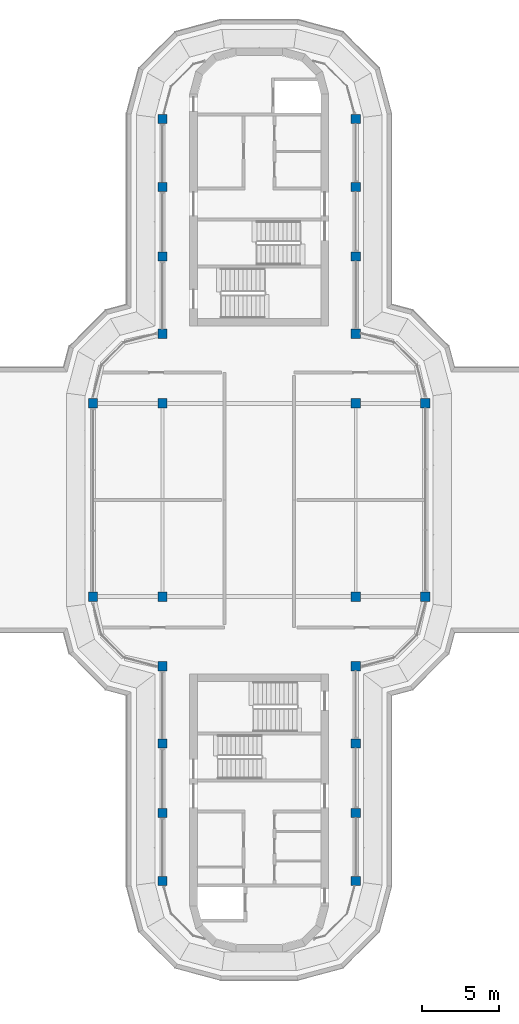
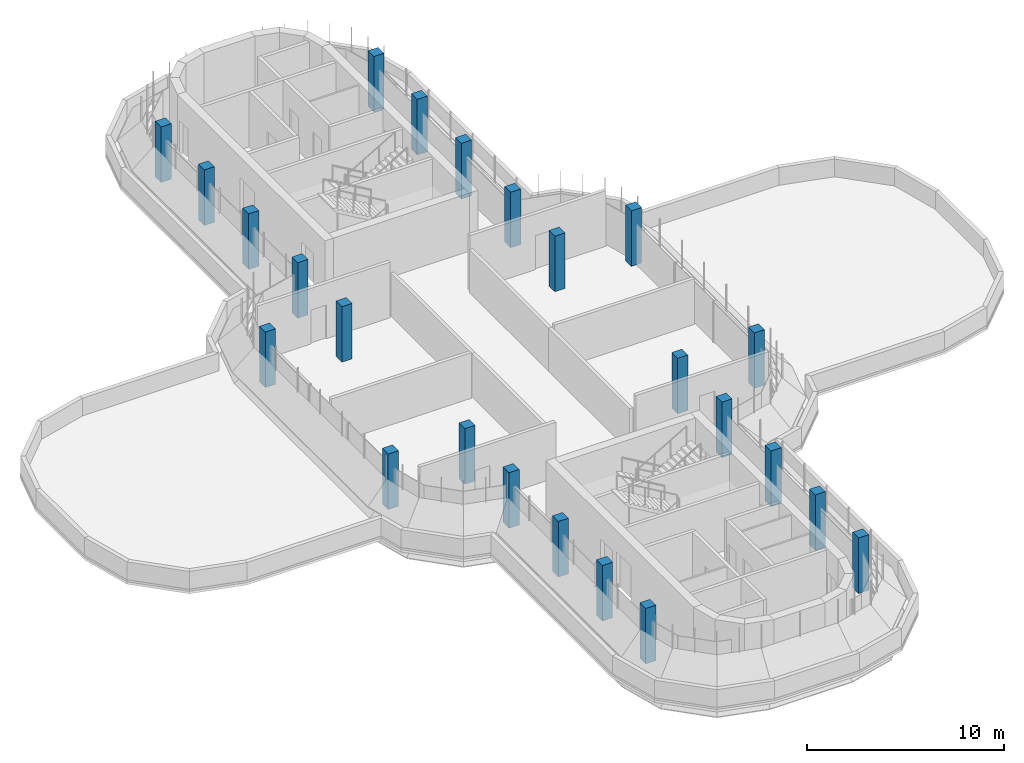
# One storey, part 1 of 13: 24 columns.
"""IFC4 building model written with IfcOpenShell, lengths in metres."""

from ifc_helpers import new_model, si_unit, direction, frame, origin, origin_2d, place, context, subcontext, project, spatial, rectangle, extrude, material, material_profile, profile_set, type_object, element, save


model = new_model("IFC4")

# Units and contexts
model_context = context("Model", 3, precision=1e-05, world=origin(), true_north=direction((0.0, 1.0)))
body_context = subcontext(model_context, "Body", "Model", "MODEL_VIEW")
ifc_project = project(units=[si_unit("LENGTHUNIT", "METRE"), si_unit("AREAUNIT", "SQUARE_METRE"), si_unit("VOLUMEUNIT", "CUBIC_METRE"), si_unit("PLANEANGLEUNIT", "RADIAN"), si_unit("MASSUNIT", "GRAM", prefix="KILO")], contexts=[model_context])

# Site, building, storey
site_placement = place(None, origin())
site = spatial("IfcSite", under=ifc_project, at=site_placement, CompositionType="ELEMENT")
building_placement = place(site_placement, origin())
building = spatial("IfcBuilding", under=site, at=building_placement, Name="Zarbagh Exchange Tower", CompositionType="ELEMENT")
storey_placement = place(building_placement, frame((0.0, 0.0, 298.800048828125)))
storey = spatial("IfcBuildingStorey", under=building, at=storey_placement, Name="L73", CompositionType="ELEMENT", Elevation=298.800048828125)

# Columns
ifc_material = material(Name="Concrete C40/50", Category="concrete")
ifc_material_profile = material_profile(ifc_material, rectangle(XDim=0.60009765625, YDim=0.60009765625, at=origin_2d()), Name="RC column 600 x 600 C40/50")
ifc_profile_set = profile_set([ifc_material_profile], Name="Concrete C40/50")
column_type = type_object("IfcColumnType", Name="RC column 600 x 600 C40/50", PredefinedType="COLUMN", material=ifc_profile_set)
for number, where, z_axis, x_axis, name in (
    (1, (-10.75, -6.25, 0.0), (0.0, 0.0, 1.0), (1.0, 0.0, 0.0), "C6 15/R"),
    (2, (-10.75, 6.25, 0.0), (0.0, 0.0, 1.0), (1.0, 0.0, 0.0), "C6 15/U"),
    (3, (-6.25, -24.64990234375, 0.0), (0.0, 0.0, 1.0), (1.0, 0.0, 0.0), "C6 16/M"),
    (4, (-6.25, -20.25, 0.0), (0.0, 0.0, 1.0), (1.0, 0.0, 0.0), "C6 16/N"),
    (5, (-6.25, -15.75, 0.0), (0.0, 0.0, 1.0), (1.0, 0.0, 0.0), "C6 16/P"),
    (6, (-6.25, -10.75, 0.0), (0.0, 0.0, 1.0), (1.0, 0.0, 0.0), "C6 16/Q"),
    (7, (-6.25, -6.25, 0.0), (0.0, 0.0, 1.0), (1.0, 0.0, 0.0), "C6 16/R"),
    (8, (-6.25, 6.25, 0.0), (0.0, 0.0, 1.0), (1.0, 0.0, 0.0), "C6 16/U"),
    (9, (-6.25, 10.75, 0.0), (0.0, 0.0, 1.0), (1.0, 0.0, 0.0), "C6 16/V"),
    (10, (-6.25, 15.75, 0.0), (0.0, 0.0, 1.0), (1.0, 0.0, 0.0), "C6 16/W"),
    (11, (-6.25, 20.25, 0.0), (0.0, 0.0, 1.0), (1.0, 0.0, 0.0), "C6 16/X"),
    (12, (-6.25, 24.64990234375, 0.0), (0.0, 0.0, 1.0), (1.0, 0.0, 0.0), "C6 16/Y"),
    (13, (6.25, -24.64990234375, 0.0), (0.0, 0.0, 1.0), (1.0, 0.0, 0.0), "C6 19/M"),
    (14, (6.25, -20.25, 0.0), (0.0, 0.0, 1.0), (1.0, 0.0, 0.0), "C6 19/N"),
    (15, (6.25, -15.75, 0.0), (0.0, 0.0, 1.0), (1.0, 0.0, 0.0), "C6 19/P"),
    (16, (6.25, -10.75, 0.0), (0.0, 0.0, 1.0), (1.0, 0.0, 0.0), "C6 19/Q"),
    (17, (6.25, -6.25, 0.0), (0.0, 0.0, 1.0), (1.0, 0.0, 0.0), "C6 19/R"),
    (18, (6.25, 6.25, 0.0), (0.0, 0.0, 1.0), (1.0, 0.0, 0.0), "C6 19/U"),
    (19, (6.25, 10.75, 0.0), (0.0, 0.0, 1.0), (1.0, 0.0, 0.0), "C6 19/V"),
    (20, (6.25, 15.75, 0.0), (0.0, 0.0, 1.0), (1.0, 0.0, 0.0), "C6 19/W"),
    (21, (6.25, 20.25, 0.0), (0.0, 0.0, 1.0), (1.0, 0.0, 0.0), "C6 19/X"),
    (22, (6.25, 24.64990234375, 0.0), (0.0, 0.0, 1.0), (1.0, 0.0, 0.0), "C6 19/Y"),
    (23, (10.75, -6.25, 0.0), (0.0, 0.0, 1.0), (1.0, 0.0, 0.0), "C6 20/R"),
    (24, (10.75, 6.25, 0.0), (0.0, 0.0, 1.0), (1.0, 0.0, 0.0), "C6 20/U"),
):
    element("IfcColumn", number, at=place(storey_placement, frame(where, z_axis=z_axis, x_axis=x_axis)), inside=storey, type_object=column_type, Name=name, PredefinedType="COLUMN", context=body_context, shape_type="SweptSolid", body=[
        extrude(rectangle(XDim=0.60009765625, YDim=0.60009765625, at=origin_2d()), origin(), (0.0, 0.0, 1.0), 3.449951171875),
    ])

save(model, "model.ifc")
